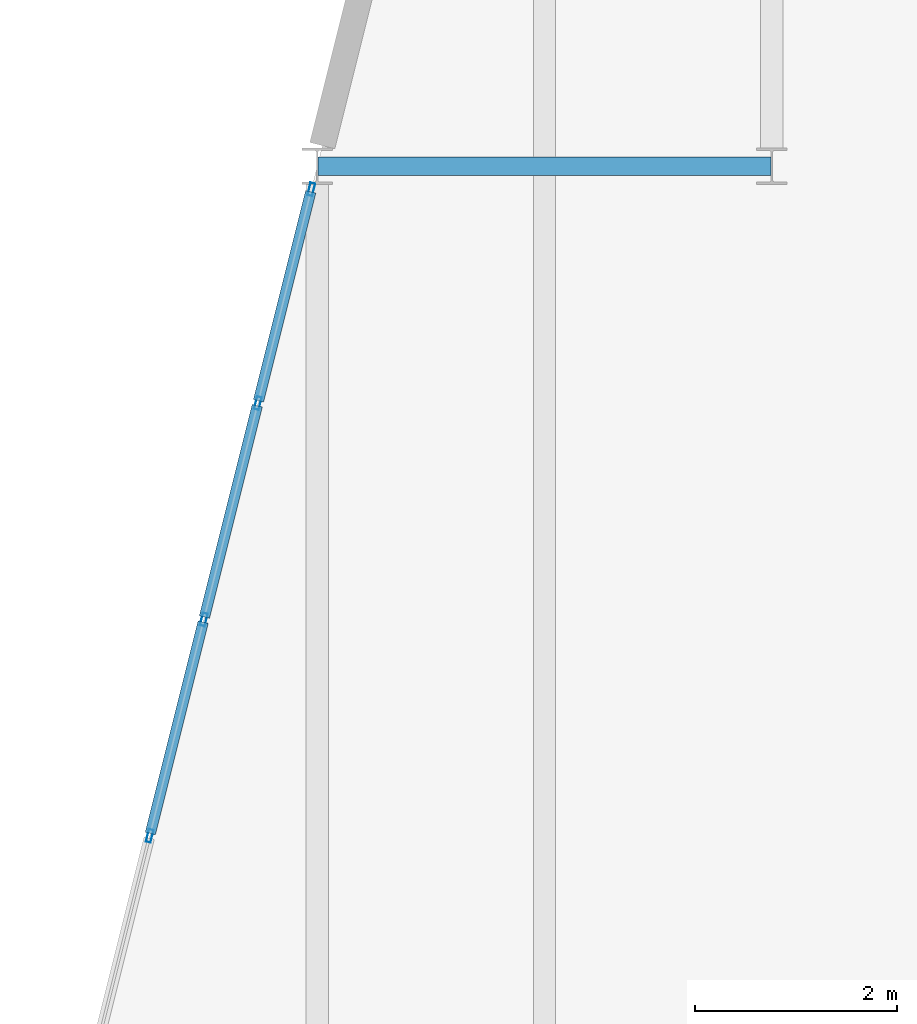
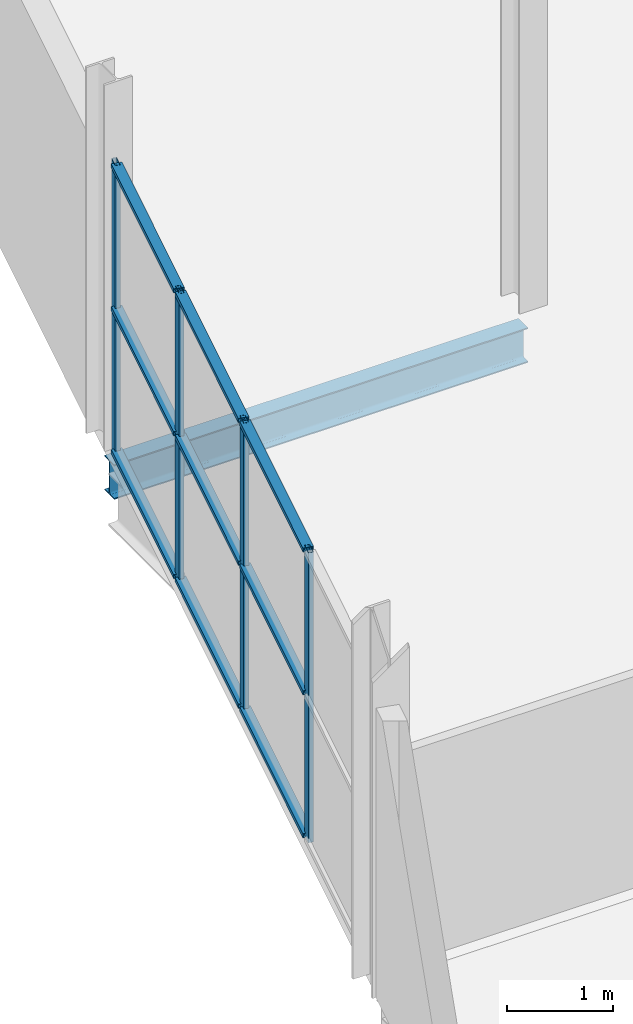
# One storey, part 93 of 140: 13 members, 1 beam, 1 element without a shape of its own.
"""IFC4 building model written with IfcOpenShell, lengths in metres."""

import ifcopenshell
import ifcopenshell.guid

model = None  # the IFC model being written
_history = None  # IfcOwnerHistory: only IFC2X3 demands one
_inside = {}  # id of a spatial element -> (the spatial element, [elements in it])
_under = {}  # id of a project, library or spatial element -> (it, [spatial elements below it])
_declared = {}  # id of a project -> (the project, [libraries it declares])
_typed = {}  # id of a type object -> (the type object, [elements of that type])
_made_of = {}  # id of a material, layer set ... -> (it, [elements and type objects made of it])


def new_model(schema):
    """Start an empty IFC model of exactly this schema.

    Asked for "IFC4X3", IfcOpenShell would pick the latest addendum, in which some entities
    have other attributes; the version numbers below select the first issue.
    IFC2X3 requires an IfcOwnerHistory on every rooted entity: one is made here for all.
    """
    global model, _history
    if schema == "IFC4X3":
        model = ifcopenshell.file(schema_version=(4, 3, 0, 0))
    else:
        model = ifcopenshell.file(schema=schema)
    _inside.clear()
    _under.clear()
    _declared.clear()
    _typed.clear()
    _made_of.clear()
    _history = None
    if model.schema == "IFC2X3":
        org = make("IfcOrganization", Name="unknown")
        user = make(
            "IfcPersonAndOrganization",
            ThePerson=make("IfcPerson", FamilyName="unknown"),
            TheOrganization=org,
        )
        app = make(
            "IfcApplication",
            ApplicationDeveloper=org,
            Version="unknown",
            ApplicationFullName="unknown",
            ApplicationIdentifier="unknown",
        )
        _history = make(
            "IfcOwnerHistory",
            OwningUser=user,
            OwningApplication=app,
            ChangeAction="ADDED",
            CreationDate=0,
        )
    return model


def make(cls, **values):
    """One entity of the class cls with the attributes given. An attribute that is None is left unset."""
    return model.create_entity(
        cls, **{name: value for name, value in values.items() if value is not None}
    )


def rooted(cls, **values):
    """An entity with a GlobalId (a new one), such as an element, a storey or a relation."""
    return make(cls, GlobalId=ifcopenshell.guid.new(), OwnerHistory=_history, **values)


def si_unit(unit_type, name, prefix=None):
    """IfcSIUnit, for example si_unit("LENGTHUNIT", "METRE", prefix="MILLI")."""
    return make("IfcSIUnit", UnitType=unit_type, Prefix=prefix, Name=name)


def assignment(units):
    """IfcUnitAssignment: the units of a project."""
    return None if units is None else make("IfcUnitAssignment", Units=units)


def point(xyz):
    """IfcCartesianPoint."""
    return None if xyz is None else make("IfcCartesianPoint", Coordinates=xyz)


def direction(xyz):
    """IfcDirection."""
    return None if xyz is None else make("IfcDirection", DirectionRatios=xyz)


def frame(location, z_axis=None, x_axis=None):
    """IfcAxis2Placement3D, a coordinate frame: its origin and axes. An axis left out is left unset."""
    return make(
        "IfcAxis2Placement3D",
        Location=point(location),
        Axis=direction(z_axis),
        RefDirection=direction(x_axis),
    )


def frame_2d(location, x_axis=None):
    """IfcAxis2Placement2D, a coordinate frame in the plane: its origin and x axis."""
    return make(
        "IfcAxis2Placement2D", Location=point(location), RefDirection=direction(x_axis)
    )


def origin():
    """The frame at (0, 0, 0) with its axes left unset."""
    return frame((0.0, 0.0, 0.0))


def origin_2d():
    """The frame at (0, 0) in the plane with its x axis left unset."""
    return frame_2d((0.0, 0.0))


def place(relative_to, where):
    """IfcLocalPlacement: puts the frame where relative to a parent placement (None: the world)."""
    return make(
        "IfcLocalPlacement", PlacementRelTo=relative_to, RelativePlacement=where
    )


def context(
    kind, dimensions, precision=None, world=None, true_north=None, identifier=None
):
    """IfcGeometricRepresentationContext, for example the 3D "Model" context."""
    return make(
        "IfcGeometricRepresentationContext",
        ContextIdentifier=identifier,
        ContextType=kind,
        CoordinateSpaceDimension=dimensions,
        Precision=precision,
        WorldCoordinateSystem=world,
        TrueNorth=true_north,
    )


def subcontext(parent, identifier, kind, view, scale=None):
    """IfcGeometricRepresentationSubContext, for example "Body" below "Model"."""
    return make(
        "IfcGeometricRepresentationSubContext",
        ContextIdentifier=identifier,
        ContextType=kind,
        ParentContext=parent,
        TargetScale=scale,
        TargetView=view,
    )


def project(units=None, contexts=None):
    """IfcProject with its units and contexts."""
    return rooted(
        "IfcProject",
        Name="project",
        RepresentationContexts=contexts,
        UnitsInContext=assignment(units),
    )


def spatial(cls, under=None, at=None, **own):
    """A site, building, storey or space (cls), placed at a placement, below another one or the project."""
    s = rooted(cls, ObjectPlacement=at, **own)
    if under is not None:
        _under.setdefault(under.id(), (under, []))[1].append(s)
    return s


def profile(cls, at=None, kind="AREA", **sizes):
    """A parametric profile (cls). Its sizes go by their IFC names, for example OverallWidth=200.0."""
    return make(cls, ProfileType=kind, Position=at, **sizes)


def hollow_rectangle(**sizes):
    """IfcRectangleHollowProfileDef."""
    return profile("IfcRectangleHollowProfileDef", **sizes)


def i_section(**sizes):
    """IfcIShapeProfileDef."""
    return profile("IfcIShapeProfileDef", **sizes)


def extrude(swept, where, along, depth):
    """IfcExtrudedAreaSolid: the profile swept, set in the frame where, extruded along a direction by depth."""
    return make(
        "IfcExtrudedAreaSolid",
        SweptArea=swept,
        Position=where,
        ExtrudedDirection=direction(along),
        Depth=depth,
    )


def shape(context_of_items, identifier, shape_type, items):
    """IfcShapeRepresentation: the items that make up one representation, for example the "Body"."""
    return make(
        "IfcShapeRepresentation",
        ContextOfItems=context_of_items,
        RepresentationIdentifier=identifier,
        RepresentationType=shape_type,
        Items=items,
    )


def material(Name=None, Category=None):
    """IfcMaterial."""
    return make("IfcMaterial", Name=Name, Category=Category)


def layer(
    of_material, thickness, ventilated=None, Name=None, Category=None, Priority=None
):
    """IfcMaterialLayer: one layer of a wall or slab, of a material (None: an air gap)."""
    return make(
        "IfcMaterialLayer",
        Material=of_material,
        LayerThickness=thickness,
        IsVentilated=ventilated,
        Name=Name,
        Category=Category,
        Priority=Priority,
    )


def layer_set(layers, Name=None):
    """IfcMaterialLayerSet."""
    return make("IfcMaterialLayerSet", MaterialLayers=layers, LayerSetName=Name)


def material_profile(
    of_material, cross_section, Name=None, Category=None, Priority=None
):
    """IfcMaterialProfile: a cross section and its material."""
    return make(
        "IfcMaterialProfile",
        Name=Name,
        Material=of_material,
        Profile=cross_section,
        Priority=Priority,
        Category=Category,
    )


def profile_set(profiles, Name=None, composite=None):
    """IfcMaterialProfileSet."""
    return make(
        "IfcMaterialProfileSet",
        Name=Name,
        MaterialProfiles=profiles,
        CompositeProfile=composite,
    )


def made_of(thing, what):
    """Note that an element or type object is made of a material, layer set ...; save() writes the relation."""
    if what is not None:
        _made_of.setdefault(what.id(), (what, []))[1].append(thing)
    return thing


def type_object(cls, material=None, **own):
    """A type object (cls), such as IfcWallType, which elements share."""
    return made_of(rooted(cls, **own), material)


def element(
    cls,
    number,
    at=None,
    inside=None,
    cuts=None,
    type_object=None,
    material=None,
    context=None,
    identifier="Body",
    shape_type=None,
    held_by="IfcProductDefinitionShape",
    body=None,
    shapes=None,
    **own,
):
    """One element of the class cls, such as IfcWall. Its Tag is "e" and its number.

    at: its placement. inside: the storey or other place that contains it. cuts: it is an
    opening in that element (IfcRelVoidsElement). A single representation is given by context,
    identifier, shape_type and body (its items); several are given by shapes. held_by: the class
    of the entity that holds the representations. save() writes the other relations.
    """
    e = rooted(cls, Tag="e%d" % number, ObjectPlacement=at, **own)
    if body is not None:
        shapes = [shape(context, identifier, shape_type, body)]
    if shapes is not None:
        e.Representation = make(held_by, Representations=shapes)
    if inside is not None:
        _inside.setdefault(inside.id(), (inside, []))[1].append(e)
    if cuts is not None:
        rooted(
            "IfcRelVoidsElement", RelatingBuildingElement=cuts, RelatedOpeningElement=e
        )
    if type_object is not None:
        _typed.setdefault(type_object.id(), (type_object, []))[1].append(e)
    return made_of(e, material)


def aggregate(whole, parts):
    """IfcRelAggregates: a whole, such as a stair, and the parts it consists of."""
    return rooted("IfcRelAggregates", RelatingObject=whole, RelatedObjects=parts)


def save(model, path):
    """Write the relations noted so far, then the file.

    IfcRelAggregates (storeys below a building ...), IfcRelContainedInSpatialStructure (elements
    in a storey), IfcRelDefinesByType, IfcRelAssociatesMaterial and IfcRelDeclares: one each for
    every whole, place, type object, material and project.
    """
    for whole, parts in _under.values():
        aggregate(whole, parts)
    for where, things in _inside.values():
        rooted(
            "IfcRelContainedInSpatialStructure",
            RelatedElements=things,
            RelatingStructure=where,
        )
    for kind, things in _typed.values():
        rooted("IfcRelDefinesByType", RelatedObjects=things, RelatingType=kind)
    for what, things in _made_of.values():
        rooted("IfcRelAssociatesMaterial", RelatedObjects=things, RelatingMaterial=what)
    for by, libraries in _declared.values():
        rooted("IfcRelDeclares", RelatingContext=by, RelatedDefinitions=libraries)
    model.write(path)


model = new_model("IFC4")

# Units and contexts
model_context = context("Model", 3, precision=1e-05, world=origin(), true_north=direction((0.0, 1.0)))
body_context = subcontext(model_context, "Body", "Model", "MODEL_VIEW")
ifc_project = project(units=[si_unit("LENGTHUNIT", "METRE"), si_unit("AREAUNIT", "SQUARE_METRE"), si_unit("VOLUMEUNIT", "CUBIC_METRE"), si_unit("PLANEANGLEUNIT", "RADIAN"), si_unit("MASSUNIT", "GRAM", prefix="KILO")], contexts=[model_context])

# Site, building, storey
site_placement = place(None, origin())
site = spatial("IfcSite", under=ifc_project, at=site_placement, CompositionType="ELEMENT")
building_placement = place(site_placement, origin())
building = spatial("IfcBuilding", under=site, at=building_placement, Name="Deido Ridge Mobility Hub", CompositionType="ELEMENT")
storey_placement = place(building_placement, origin())
storey = spatial("IfcBuildingStorey", under=building, at=storey_placement, Name="L00", CompositionType="ELEMENT", Elevation=0.0)

# Beam
ifc_material_1 = material(Name="Steel S355J2 EN 10025-2", Category="steel")
ifc_material_profile_1 = material_profile(ifc_material_1, i_section(OverallWidth=0.179931640625, OverallDepth=0.39990234375, WebThickness=0.008544921875, FlangeThickness=0.013427734375, FilletRadius=0.02099609375, at=origin_2d()), Name="IPE 400")
ifc_profile_set_1 = profile_set([ifc_material_profile_1], Name="Steel S355J2 EN 10025-2")
beam_type = type_object("IfcBeamType", Name="BM-IPE400", PredefinedType="BEAM", material=ifc_profile_set_1)
beam_placement = place(storey_placement, frame((128.256103515625, 45.0, -0.4599609375), z_axis=(1.0, 0.0, 0.0), x_axis=(0.0, 1.0, 0.0)))
element("IfcBeam", 1, at=beam_placement, inside=storey, type_object=beam_type, Name="Floor beam B5", PredefinedType="BEAM", context=body_context, shape_type="SweptSolid", body=[
    extrude(i_section(OverallWidth=0.179931640625, OverallDepth=0.39990234375, WebThickness=0.008544921875, FlangeThickness=0.013427734375, FilletRadius=0.02099609375, at=origin_2d()), origin(), (0.0, 0.0, 1.0), 4.48779296875),
])

# Curtain wall, members
ifc_material_2 = material(Name="Anodised aluminium EN AW-6063 T6", Category="aluminium")
ifc_layer = layer(ifc_material_2, 0.179931640625, Name="Anodised aluminium EN AW-6063 T6")
ifc_layer_set = layer_set([ifc_layer], Name="Anodised aluminium EN AW-6063 T6")
curtain_wall_type = type_object("IfcCurtainWallType", Name="CW-UF-2", PredefinedType="USERDEFINED", material=ifc_layer_set)
curtain_wall_placement = place(storey_placement, origin())
curtain_wall = element("IfcCurtainWall", 2, at=curtain_wall_placement, inside=storey, type_object=curtain_wall_type, Name="Unitised curtain wall CW2", ObjectType="UNITISED FACADE", PredefinedType="USERDEFINED")
ifc_material_profile_2 = material_profile(ifc_material_2, hollow_rectangle(XDim=0.050048828125, YDim=0.1298828125, WallThickness=0.00390625, at=origin_2d()), Name="RHS 50x130x4")
ifc_profile_set_2 = profile_set([ifc_material_profile_2], Name="Anodised aluminium EN AW-6063 T6")
member_type_1 = type_object("IfcMemberType", Name="MEM-MUL-50X130", PredefinedType="MULLION", material=ifc_profile_set_2)
member_1_placement = place(storey_placement, frame((126.59326171875, 38.372802734375, 0.0), z_axis=(0.0, 0.0, 1.0), x_axis=(-0.970143832947, 0.242530293767, 0.0)))
member_1 = element("IfcMember", 3, at=member_1_placement, type_object=member_type_1, Name="CW2 mullion 2", PredefinedType="MULLION", context=body_context, shape_type="SweptSolid", body=[
    extrude(hollow_rectangle(XDim=0.050048828125, YDim=0.1298828125, WallThickness=0.00390625, at=origin_2d()), origin(), (0.0, 0.0, 1.0), 3.324951171875),
])
member_2_placement = place(storey_placement, frame((127.12841796875, 40.513671875, 0.0), z_axis=(0.0, 0.0, 1.0), x_axis=(-0.970143832947, 0.242530293767, 0.0)))
member_2 = element("IfcMember", 4, at=member_2_placement, type_object=member_type_1, Name="CW2 mullion 3", PredefinedType="MULLION", context=body_context, shape_type="SweptSolid", body=[
    extrude(hollow_rectangle(XDim=0.050048828125, YDim=0.1298828125, WallThickness=0.00390625, at=origin_2d()), origin(), (0.0, 0.0, 1.0), 3.324951171875),
])
member_3_placement = place(storey_placement, frame((127.66357421875, 42.654541015625, 0.0), z_axis=(0.0, 0.0, 1.0), x_axis=(-0.970143832947, 0.242530293767, 0.0)))
member_3 = element("IfcMember", 5, at=member_3_placement, type_object=member_type_1, Name="CW2 mullion 4", PredefinedType="MULLION", context=body_context, shape_type="SweptSolid", body=[
    extrude(hollow_rectangle(XDim=0.050048828125, YDim=0.1298828125, WallThickness=0.00390625, at=origin_2d()), origin(), (0.0, 0.0, 1.0), 3.324951171875),
])
member_4_placement = place(storey_placement, frame((128.192626953125, 44.77099609375, 0.0), z_axis=(0.0, 0.0, 1.0), x_axis=(-0.970143832947, 0.242530293767, 0.0)))
member_4 = element("IfcMember", 6, at=member_4_placement, type_object=member_type_1, Name="CW2 mullion 5", PredefinedType="MULLION", context=body_context, shape_type="SweptSolid", body=[
    extrude(hollow_rectangle(XDim=0.050048828125, YDim=0.1298828125, WallThickness=0.00390625, at=origin_2d()), origin(), (0.0, 0.0, 1.0), 3.324951171875),
])
ifc_material_profile_3 = material_profile(ifc_material_2, hollow_rectangle(XDim=0.10498046875, YDim=0.050048828125, WallThickness=0.00390625, at=origin_2d()), Name="RHS 105x50x4")
ifc_profile_set_3 = profile_set([ifc_material_profile_3], Name="Anodised aluminium EN AW-6063 T6")
member_type_2 = type_object("IfcMemberType", Name="MEM-TRN-105X50", PredefinedType="USERDEFINED", material=ifc_profile_set_3)
member_5_placement = place(storey_placement, frame((126.599365234375, 38.39697265625, 0.02490234375), z_axis=(0.242482352335, 0.970155816767, 0.0), x_axis=(-0.970155816767, 0.242482352335, 0.0)))
member_5 = element("IfcMember", 7, at=member_5_placement, type_object=member_type_2, Name="CW2 transom 2.1", ObjectType="TRANSOM", PredefinedType="USERDEFINED", context=body_context, shape_type="SweptSolid", body=[
    extrude(hollow_rectangle(XDim=0.10498046875, YDim=0.050048828125, WallThickness=0.00390625, at=origin_2d()), origin(), (0.0, 0.0, 1.0), 2.15673828125),
])
member_6_placement = place(storey_placement, frame((126.599365234375, 38.39697265625, 1.66259765625), z_axis=(0.242482352335, 0.970155816767, 0.0), x_axis=(-0.970155816767, 0.242482352335, 0.0)))
member_6 = element("IfcMember", 8, at=member_6_placement, type_object=member_type_2, Name="CW2 transom 2.2", ObjectType="TRANSOM", PredefinedType="USERDEFINED", context=body_context, shape_type="SweptSolid", body=[
    extrude(hollow_rectangle(XDim=0.10498046875, YDim=0.050048828125, WallThickness=0.00390625, at=origin_2d()), origin(), (0.0, 0.0, 1.0), 2.15673828125),
])
member_7_placement = place(storey_placement, frame((126.599365234375, 38.39697265625, 3.300048828125), z_axis=(0.242482352335, 0.970155816767, 0.0), x_axis=(-0.970155816767, 0.242482352335, 0.0)))
member_7 = element("IfcMember", 9, at=member_7_placement, type_object=member_type_2, Name="CW2 transom 2.3", ObjectType="TRANSOM", PredefinedType="USERDEFINED", context=body_context, shape_type="SweptSolid", body=[
    extrude(hollow_rectangle(XDim=0.10498046875, YDim=0.050048828125, WallThickness=0.00390625, at=origin_2d()), origin(), (0.0, 0.0, 1.0), 2.15673828125),
])
member_8_placement = place(storey_placement, frame((127.134521484375, 40.537841796875, 0.02490234375), z_axis=(0.242482352335, 0.970155816767, 0.0), x_axis=(-0.970155816767, 0.242482352335, 0.0)))
member_8 = element("IfcMember", 10, at=member_8_placement, type_object=member_type_2, Name="CW2 transom 3.1", ObjectType="TRANSOM", PredefinedType="USERDEFINED", context=body_context, shape_type="SweptSolid", body=[
    extrude(hollow_rectangle(XDim=0.10498046875, YDim=0.050048828125, WallThickness=0.00390625, at=origin_2d()), origin(), (0.0, 0.0, 1.0), 2.15673828125),
])
member_9_placement = place(storey_placement, frame((127.134521484375, 40.537841796875, 1.66259765625), z_axis=(0.242482352335, 0.970155816767, 0.0), x_axis=(-0.970155816767, 0.242482352335, 0.0)))
member_9 = element("IfcMember", 11, at=member_9_placement, type_object=member_type_2, Name="CW2 transom 3.2", ObjectType="TRANSOM", PredefinedType="USERDEFINED", context=body_context, shape_type="SweptSolid", body=[
    extrude(hollow_rectangle(XDim=0.10498046875, YDim=0.050048828125, WallThickness=0.00390625, at=origin_2d()), origin(), (0.0, 0.0, 1.0), 2.15673828125),
])
member_10_placement = place(storey_placement, frame((127.134521484375, 40.537841796875, 3.300048828125), z_axis=(0.242482352335, 0.970155816767, 0.0), x_axis=(-0.970155816767, 0.242482352335, 0.0)))
member_10 = element("IfcMember", 12, at=member_10_placement, type_object=member_type_2, Name="CW2 transom 3.3", ObjectType="TRANSOM", PredefinedType="USERDEFINED", context=body_context, shape_type="SweptSolid", body=[
    extrude(hollow_rectangle(XDim=0.10498046875, YDim=0.050048828125, WallThickness=0.00390625, at=origin_2d()), origin(), (0.0, 0.0, 1.0), 2.15673828125),
])
member_11_placement = place(storey_placement, frame((127.669677734375, 42.6787109375, 0.02490234375), z_axis=(0.242562571848, 0.970135763045, 0.0), x_axis=(-0.970135763045, 0.242562571848, 0.0)))
member_11 = element("IfcMember", 13, at=member_11_placement, type_object=member_type_2, Name="CW2 transom 4.1", ObjectType="TRANSOM", PredefinedType="USERDEFINED", context=body_context, shape_type="SweptSolid", body=[
    extrude(hollow_rectangle(XDim=0.10498046875, YDim=0.050048828125, WallThickness=0.00390625, at=origin_2d()), origin(), (0.0, 0.0, 1.0), 2.1318359375),
])
member_12_placement = place(storey_placement, frame((127.669677734375, 42.6787109375, 1.66259765625), z_axis=(0.242562571848, 0.970135763045, 0.0), x_axis=(-0.970135763045, 0.242562571848, 0.0)))
member_12 = element("IfcMember", 14, at=member_12_placement, type_object=member_type_2, Name="CW2 transom 4.2", ObjectType="TRANSOM", PredefinedType="USERDEFINED", context=body_context, shape_type="SweptSolid", body=[
    extrude(hollow_rectangle(XDim=0.10498046875, YDim=0.050048828125, WallThickness=0.00390625, at=origin_2d()), origin(), (0.0, 0.0, 1.0), 2.1318359375),
])
member_13_placement = place(storey_placement, frame((127.669677734375, 42.6787109375, 3.300048828125), z_axis=(0.242562571848, 0.970135763045, 0.0), x_axis=(-0.970135763045, 0.242562571848, 0.0)))
member_13 = element("IfcMember", 15, at=member_13_placement, type_object=member_type_2, Name="CW2 transom 4.3", ObjectType="TRANSOM", PredefinedType="USERDEFINED", context=body_context, shape_type="SweptSolid", body=[
    extrude(hollow_rectangle(XDim=0.10498046875, YDim=0.050048828125, WallThickness=0.00390625, at=origin_2d()), origin(), (0.0, 0.0, 1.0), 2.1318359375),
])
aggregate(curtain_wall, [member_1, member_2, member_3, member_4, member_5, member_6, member_7, member_8, member_9, member_10, member_11, member_12, member_13])

save(model, "model.ifc")
